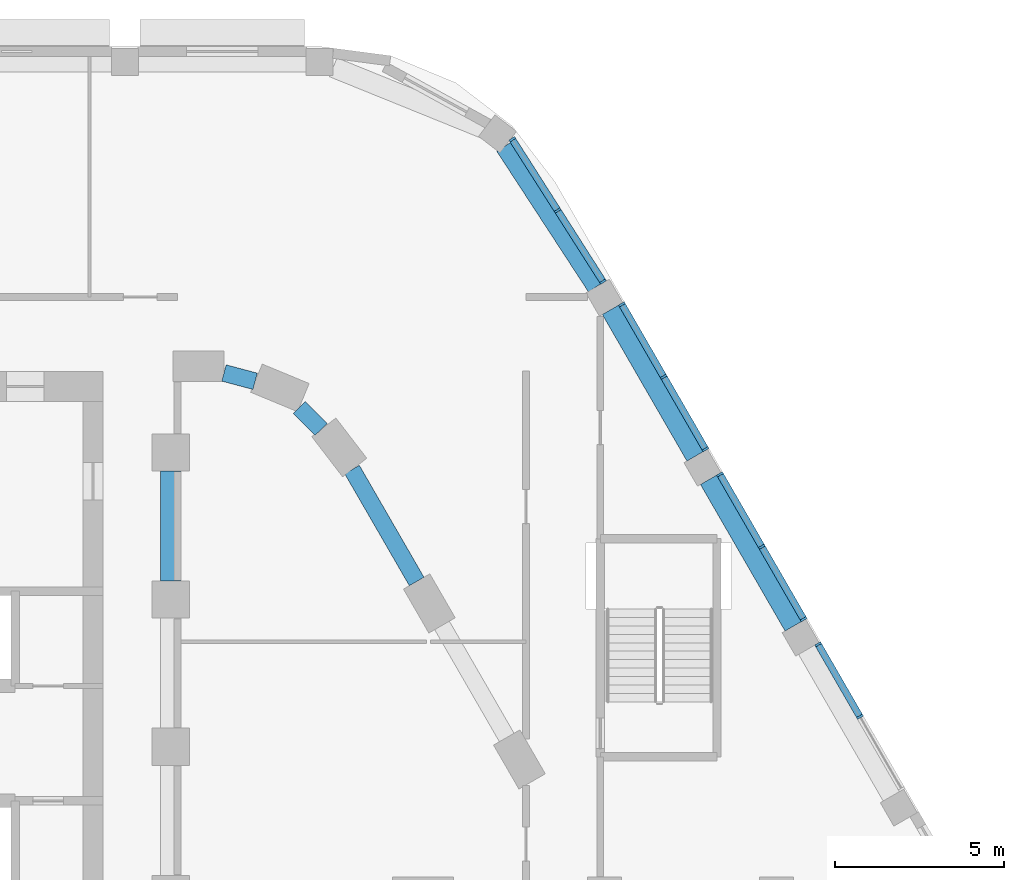
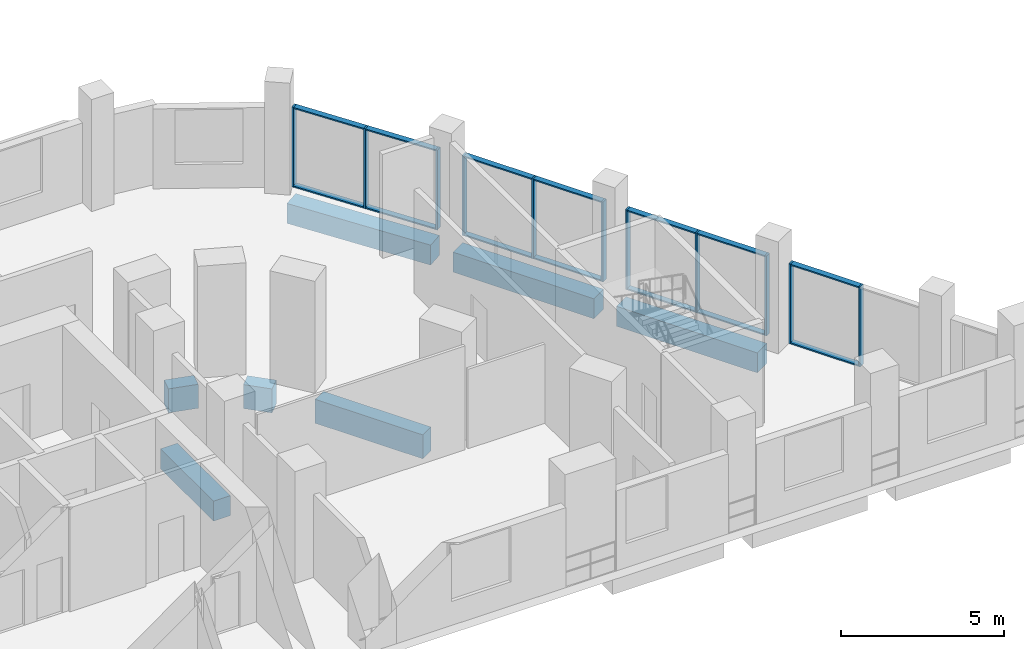
# One storey, part 4 of 47: 25 members, 7 beams, 4 elements without a shape of their own.
"""IFC4 building model written with IfcOpenShell, lengths in metres."""

from ifc_helpers import new_model, si_unit, direction, frame, origin, origin_2d, place, context, subcontext, project, spatial, rectangle, extrude, material, layer, layer_set, material_profile, profile_set, type_object, element, aggregate, save


model = new_model("IFC4")

# Units and contexts
model_context = context("Model", 3, precision=1e-05, world=origin(), true_north=direction((0.0, 1.0)))
body_context = subcontext(model_context, "Body", "Model", "MODEL_VIEW")
ifc_project = project(units=[si_unit("LENGTHUNIT", "METRE"), si_unit("AREAUNIT", "SQUARE_METRE"), si_unit("VOLUMEUNIT", "CUBIC_METRE"), si_unit("PLANEANGLEUNIT", "RADIAN"), si_unit("MASSUNIT", "GRAM", prefix="KILO")], contexts=[model_context])

# Site, building, storey
site_placement = place(None, origin())
site = spatial("IfcSite", under=ifc_project, at=site_placement, CompositionType="ELEMENT")
building_placement = place(site_placement, origin())
building = spatial("IfcBuilding", under=site, at=building_placement, Name="Nakaniwa Court", CompositionType="ELEMENT")
storey_placement = place(building_placement, frame((0.0, 0.0, 15.60009765625)))
storey = spatial("IfcBuildingStorey", under=building, at=storey_placement, Name="L03", CompositionType="ELEMENT", Elevation=15.60009765625)

# Beams
ifc_material_1 = material(Name="Concrete C100/115", Category="concrete")
ifc_material_profile_1 = material_profile(ifc_material_1, rectangle(XDim=0.5, YDim=0.89990234375, at=origin_2d()), Name="Concrete C100/115 RC 500x900 spandrel beam")
ifc_profile_set_1 = profile_set([ifc_material_profile_1], Name="Concrete C100/115")
beam_type_1 = type_object("IfcBeamType", Name="Concrete C100/115 RC 500x900 spandrel beam", PredefinedType="BEAM", material=ifc_profile_set_1)
beam_1_placement = place(storey_placement, frame((97.2705078125, 97.1865234375, -0.75), z_axis=(-0.500023067617, 0.86601208528, 0.0), x_axis=(-0.86601208528, -0.500023067617, 0.0)))
element("IfcBeam", 1, at=beam_1_placement, inside=storey, type_object=beam_type_1, Name="SPANDREL BEAM", PredefinedType="BEAM", context=body_context, shape_type="SweptSolid", body=[
    extrude(rectangle(XDim=0.5, YDim=0.89990234375, at=origin_2d()), origin(), (0.0, 0.0, 1.0), 3.819580078125),
])
beam_2_placement = place(storey_placement, frame((94.448486328125, 101.68505859375, -0.75), z_axis=(-0.705908410536, 0.708303124329, 0.0), x_axis=(-0.708303124329, -0.705908410536, 0.0)))
element("IfcBeam", 2, at=beam_2_placement, inside=storey, type_object=beam_type_1, Name="SPANDREL BEAM", PredefinedType="BEAM", context=body_context, shape_type="SweptSolid", body=[
    extrude(rectangle(XDim=0.5, YDim=0.89990234375, at=origin_2d()), origin(), (0.0, 0.0, 1.0), 0.91748046875),
])
beam_3_placement = place(storey_placement, frame((92.49609375, 103.10498046875, -0.75), z_axis=(-0.966324126494, 0.257327966912, 0.0), x_axis=(-0.257327966912, -0.966324126494, 0.0)))
element("IfcBeam", 3, at=beam_3_placement, inside=storey, type_object=beam_type_1, Name="SPANDREL BEAM", PredefinedType="BEAM", context=body_context, shape_type="SweptSolid", body=[
    extrude(rectangle(XDim=0.5, YDim=0.89990234375, at=origin_2d()), origin(), (0.0, 0.0, 1.0), 0.95361328125),
])
ifc_material_profile_2 = material_profile(ifc_material_1, rectangle(XDim=0.60009765625, YDim=0.75, at=origin_2d()), Name="Concrete C100/115 RC 600x750 ring beam")
ifc_profile_set_2 = profile_set([ifc_material_profile_2], Name="Concrete C100/115")
beam_type_2 = type_object("IfcBeamType", Name="Concrete C100/115 RC 600x750 ring beam", PredefinedType="BEAM", material=ifc_profile_set_2)
beam_4_placement = place(storey_placement, frame((90.0, 97.199951171875, -0.675048828125), z_axis=(0.0, 1.0, 0.0), x_axis=(-1.0, 0.0, 0.0)))
element("IfcBeam", 4, at=beam_4_placement, inside=storey, type_object=beam_type_2, Name="RING BEAM", PredefinedType="BEAM", context=body_context, shape_type="SweptSolid", body=[
    extrude(rectangle(XDim=0.60009765625, YDim=0.75, at=origin_2d()), origin(), (0.0, 0.0, 1.0), 3.25),
])
beam_5_placement = place(storey_placement, frame((108.422119140625, 95.87158203125, -0.675048828125), z_axis=(-0.499997052475, 0.866027105532, 0.0), x_axis=(-0.866027105532, -0.499997052475, 0.0)))
element("IfcBeam", 5, at=beam_5_placement, inside=storey, type_object=beam_type_2, Name="RING BEAM", PredefinedType="BEAM", context=body_context, shape_type="SweptSolid", body=[
    extrude(rectangle(XDim=0.60009765625, YDim=0.75, at=origin_2d()), origin(), (0.0, 0.0, 1.0), 5.00244140625),
])
beam_6_placement = place(storey_placement, frame((105.520751953125, 100.896728515625, -0.675048828125), z_axis=(-0.499981580887, 0.866036037803, 0.0), x_axis=(-0.866036037803, -0.499981580887, 0.0)))
element("IfcBeam", 6, at=beam_6_placement, inside=storey, type_object=beam_type_2, Name="RING BEAM", PredefinedType="BEAM", context=body_context, shape_type="SweptSolid", body=[
    extrude(rectangle(XDim=0.60009765625, YDim=0.75, at=origin_2d()), origin(), (0.0, 0.0, 1.0), 5.002197265625),
])
beam_7_placement = place(storey_placement, frame((102.600830078125, 105.910888671875, -0.675048828125), z_axis=(-0.546240745353, 0.837628227865, 0.0), x_axis=(-0.837628227865, -0.546240745353, 0.0)))
element("IfcBeam", 7, at=beam_7_placement, inside=storey, type_object=beam_type_2, Name="RING BEAM", PredefinedType="BEAM", context=body_context, shape_type="SweptSolid", body=[
    extrude(rectangle(XDim=0.60009765625, YDim=0.75, at=origin_2d()), origin(), (0.0, 0.0, 1.0), 4.95849609375),
])

# Curtain wall, members
ifc_material_2 = material(Name="Black anodised aluminium frame with dark low-E laminated double glazing", Category="aluminium")
ifc_layer = layer(ifc_material_2, 0.199951171875)
ifc_layer_set = layer_set([ifc_layer], Name="Black anodised aluminium frame with dark low-E laminated double glazing")
curtain_wall_type = type_object("IfcCurtainWallType", Name="Podium unitised curtain wall", PredefinedType="NOTDEFINED", material=ifc_layer_set)
curtain_wall_1_placement = place(storey_placement, origin())
curtain_wall_1 = element("IfcCurtainWall", 8, at=curtain_wall_1_placement, inside=storey, type_object=curtain_wall_type, Name="L03 curtain wall CW1 40", PredefinedType="NOTDEFINED")
ifc_material_3 = material(Name="Black anodised aluminium extrusion", Category="aluminium")
ifc_material_profile_3 = material_profile(ifc_material_3, rectangle(XDim=0.199951171875, YDim=0.06494140625, at=origin_2d()), Name="Podium unitised curtain wall mullion 65x200")
ifc_profile_set_3 = profile_set([ifc_material_profile_3], Name="Black anodised aluminium extrusion")
member_type_1 = type_object("IfcMemberType", Name="Podium unitised curtain wall mullion 65x200", PredefinedType="MULLION", material=ifc_profile_set_3)
member_1_placement = place(storey_placement, frame((110.375732421875, 93.187744140625, 0.0), z_axis=(0.0, 0.0, 1.0), x_axis=(-0.866032365426, -0.499987941889, 0.0)))
member_1 = element("IfcMember", 9, at=member_1_placement, type_object=member_type_1, Name="CW1 mullion 2", PredefinedType="MULLION", context=body_context, shape_type="SweptSolid", body=[
    extrude(rectangle(XDim=0.199951171875, YDim=0.06494140625, at=origin_2d()), origin(), (0.0, 0.0, 1.0), 3.0),
])
member_2_placement = place(storey_placement, frame((109.139404296875, 95.329345703125, 0.0), z_axis=(0.0, 0.0, 1.0), x_axis=(-0.866032365426, -0.499987941889, 0.0)))
member_2 = element("IfcMember", 10, at=member_2_placement, type_object=member_type_1, Name="CW1 mullion 3", PredefinedType="MULLION", context=body_context, shape_type="SweptSolid", body=[
    extrude(rectangle(XDim=0.199951171875, YDim=0.06494140625, at=origin_2d()), origin(), (0.0, 0.0, 1.0), 3.0),
])

curtain_wall_2_placement = place(storey_placement, origin())
curtain_wall_2 = element("IfcCurtainWall", 11, at=curtain_wall_2_placement, inside=storey, type_object=curtain_wall_type, Name="L03 curtain wall CW1 41", PredefinedType="NOTDEFINED")
member_3_placement = place(storey_placement, frame((108.7109375, 96.0712890625, 0.0), z_axis=(0.0, 0.0, 1.0), x_axis=(-0.866028712692, -0.499994268761, 0.0)))
member_3 = element("IfcMember", 12, at=member_3_placement, type_object=member_type_1, Name="CW1 mullion 1", PredefinedType="MULLION", context=body_context, shape_type="SweptSolid", body=[
    extrude(rectangle(XDim=0.199951171875, YDim=0.06494140625, at=origin_2d()), origin(), (0.0, 0.0, 1.0), 3.0),
])
member_4_placement = place(storey_placement, frame((107.474609375, 98.212890625, 0.0), z_axis=(0.0, 0.0, 1.0), x_axis=(-0.866028712692, -0.499994268761, 0.0)))
member_4 = element("IfcMember", 13, at=member_4_placement, type_object=member_type_1, Name="CW1 mullion 2", PredefinedType="MULLION", context=body_context, shape_type="SweptSolid", body=[
    extrude(rectangle(XDim=0.199951171875, YDim=0.06494140625, at=origin_2d()), origin(), (0.0, 0.0, 1.0), 3.0),
])
member_5_placement = place(storey_placement, frame((106.238037109375, 100.354248046875, 0.0), z_axis=(0.0, 0.0, 1.0), x_axis=(-0.866028712692, -0.499994268761, 0.0)))
member_5 = element("IfcMember", 14, at=member_5_placement, type_object=member_type_1, Name="CW1 mullion 3", PredefinedType="MULLION", context=body_context, shape_type="SweptSolid", body=[
    extrude(rectangle(XDim=0.199951171875, YDim=0.06494140625, at=origin_2d()), origin(), (0.0, 0.0, 1.0), 3.0),
])

curtain_wall_3_placement = place(storey_placement, origin())
curtain_wall_3 = element("IfcCurtainWall", 15, at=curtain_wall_3_placement, inside=storey, type_object=curtain_wall_type, Name="L03 curtain wall CW1 42", PredefinedType="NOTDEFINED")
member_6_placement = place(storey_placement, frame((105.8095703125, 101.096435546875, 0.0), z_axis=(0.0, 0.0, 1.0), x_axis=(-0.866032365426, -0.499987941889, 0.0)))
member_6 = element("IfcMember", 16, at=member_6_placement, type_object=member_type_1, Name="CW1 mullion 1", PredefinedType="MULLION", context=body_context, shape_type="SweptSolid", body=[
    extrude(rectangle(XDim=0.199951171875, YDim=0.06494140625, at=origin_2d()), origin(), (0.0, 0.0, 1.0), 3.0),
])
member_7_placement = place(storey_placement, frame((104.5732421875, 103.23779296875, 0.0), z_axis=(0.0, 0.0, 1.0), x_axis=(-0.866032365426, -0.499987941889, 0.0)))
member_7 = element("IfcMember", 17, at=member_7_placement, type_object=member_type_1, Name="CW1 mullion 2", PredefinedType="MULLION", context=body_context, shape_type="SweptSolid", body=[
    extrude(rectangle(XDim=0.199951171875, YDim=0.06494140625, at=origin_2d()), origin(), (0.0, 0.0, 1.0), 3.0),
])
member_8_placement = place(storey_placement, frame((103.337158203125, 105.379150390625, 0.0), z_axis=(0.0, 0.0, 1.0), x_axis=(-0.866032365426, -0.499987941889, 0.0)))
member_8 = element("IfcMember", 18, at=member_8_placement, type_object=member_type_1, Name="CW1 mullion 3", PredefinedType="MULLION", context=body_context, shape_type="SweptSolid", body=[
    extrude(rectangle(XDim=0.199951171875, YDim=0.06494140625, at=origin_2d()), origin(), (0.0, 0.0, 1.0), 3.0),
])

curtain_wall_4_placement = place(storey_placement, origin())
curtain_wall_4 = element("IfcCurtainWall", 19, at=curtain_wall_4_placement, inside=storey, type_object=curtain_wall_type, Name="L03 curtain wall CW1 43", PredefinedType="NOTDEFINED")
member_9_placement = place(storey_placement, frame((102.780517578125, 106.0498046875, 0.0), z_axis=(0.0, 0.0, 1.0), x_axis=(-0.843171726606, -0.537644342899, 0.0)))
member_9 = element("IfcMember", 20, at=member_9_placement, type_object=member_type_1, Name="CW1 mullion 1", PredefinedType="MULLION", context=body_context, shape_type="SweptSolid", body=[
    extrude(rectangle(XDim=0.199951171875, YDim=0.06494140625, at=origin_2d()), origin(), (0.0, 0.0, 1.0), 3.0),
])
member_10_placement = place(storey_placement, frame((101.438720703125, 108.154296875, 0.0), z_axis=(0.0, 0.0, 1.0), x_axis=(-0.843171726606, -0.537644342899, 0.0)))
member_10 = element("IfcMember", 21, at=member_10_placement, type_object=member_type_1, Name="CW1 mullion 2", PredefinedType="MULLION", context=body_context, shape_type="SweptSolid", body=[
    extrude(rectangle(XDim=0.199951171875, YDim=0.06494140625, at=origin_2d()), origin(), (0.0, 0.0, 1.0), 3.0),
])
member_11_placement = place(storey_placement, frame((100.096923828125, 110.258544921875, 0.0), z_axis=(0.0, 0.0, 1.0), x_axis=(-0.843171726606, -0.537644342899, 0.0)))
member_11 = element("IfcMember", 22, at=member_11_placement, type_object=member_type_1, Name="CW1 mullion 3", PredefinedType="MULLION", context=body_context, shape_type="SweptSolid", body=[
    extrude(rectangle(XDim=0.199951171875, YDim=0.06494140625, at=origin_2d()), origin(), (0.0, 0.0, 1.0), 3.0),
])

# Member
ifc_material_profile_4 = material_profile(ifc_material_3, rectangle(XDim=0.199951171875, YDim=0.050048828125, at=origin_2d()), Name="Podium unitised curtain wall transom 50x200")
ifc_profile_set_4 = profile_set([ifc_material_profile_4], Name="Black anodised aluminium extrusion")
member_type_2 = type_object("IfcMemberType", Name="Podium unitised curtain wall transom 50x200", PredefinedType="USERDEFINED", material=ifc_profile_set_4)
member_12_placement = place(storey_placement, frame((110.359375, 93.216064453125, 0.02490234375), z_axis=(-0.50003260427, 0.866006578882, 0.0), x_axis=(-0.866006578882, -0.50003260427, 0.0)))
member_12 = element("IfcMember", 23, at=member_12_placement, type_object=member_type_2, Name="CW1 transom 2.1", ObjectType="TRANSOM", PredefinedType="USERDEFINED", context=body_context, shape_type="SweptSolid", body=[
    extrude(rectangle(XDim=0.199951171875, YDim=0.050048828125, at=origin_2d()), origin(), (0.0, 0.0, 1.0), 2.407470703125),
])

member_13_placement = place(storey_placement, frame((110.359375, 93.216064453125, 2.974853515625), z_axis=(-0.50003260427, 0.866006578882, 0.0), x_axis=(-0.866006578882, -0.50003260427, 0.0)))
member_13 = element("IfcMember", 24, at=member_13_placement, type_object=member_type_2, Name="CW1 transom 2.2", ObjectType="TRANSOM", PredefinedType="USERDEFINED", context=body_context, shape_type="SweptSolid", body=[
    extrude(rectangle(XDim=0.199951171875, YDim=0.050048828125, at=origin_2d()), origin(), (0.0, 0.0, 1.0), 2.407470703125),
])

aggregate(curtain_wall_1, [member_1, member_2, member_12, member_13])

member_14_placement = place(storey_placement, frame((108.694580078125, 96.099609375, 0.02490234375), z_axis=(-0.50003260427, 0.866006578882, 0.0), x_axis=(-0.866006578882, -0.50003260427, 0.0)))
member_14 = element("IfcMember", 25, at=member_14_placement, type_object=member_type_2, Name="CW1 transom 1.1", ObjectType="TRANSOM", PredefinedType="USERDEFINED", context=body_context, shape_type="SweptSolid", body=[
    extrude(rectangle(XDim=0.199951171875, YDim=0.050048828125, at=origin_2d()), origin(), (0.0, 0.0, 1.0), 2.407470703125),
])

member_15_placement = place(storey_placement, frame((108.694580078125, 96.099609375, 2.974853515625), z_axis=(-0.50003260427, 0.866006578882, 0.0), x_axis=(-0.866006578882, -0.50003260427, 0.0)))
member_15 = element("IfcMember", 26, at=member_15_placement, type_object=member_type_2, Name="CW1 transom 1.2", ObjectType="TRANSOM", PredefinedType="USERDEFINED", context=body_context, shape_type="SweptSolid", body=[
    extrude(rectangle(XDim=0.199951171875, YDim=0.050048828125, at=origin_2d()), origin(), (0.0, 0.0, 1.0), 2.407470703125),
])

member_16_placement = place(storey_placement, frame((107.458251953125, 98.240966796875, 0.02490234375), z_axis=(-0.499988695522, 0.866031930329, 0.0), x_axis=(-0.866031930329, -0.499988695522, 0.0)))
member_16 = element("IfcMember", 27, at=member_16_placement, type_object=member_type_2, Name="CW1 transom 2.1", ObjectType="TRANSOM", PredefinedType="USERDEFINED", context=body_context, shape_type="SweptSolid", body=[
    extrude(rectangle(XDim=0.199951171875, YDim=0.050048828125, at=origin_2d()), origin(), (0.0, 0.0, 1.0), 2.40771484375),
])

member_17_placement = place(storey_placement, frame((107.458251953125, 98.240966796875, 2.974853515625), z_axis=(-0.499988695522, 0.866031930329, 0.0), x_axis=(-0.866031930329, -0.499988695522, 0.0)))
member_17 = element("IfcMember", 28, at=member_17_placement, type_object=member_type_2, Name="CW1 transom 2.2", ObjectType="TRANSOM", PredefinedType="USERDEFINED", context=body_context, shape_type="SweptSolid", body=[
    extrude(rectangle(XDim=0.199951171875, YDim=0.050048828125, at=origin_2d()), origin(), (0.0, 0.0, 1.0), 2.40771484375),
])

aggregate(curtain_wall_2, [member_3, member_4, member_5, member_14, member_15, member_16, member_17])

member_18_placement = place(storey_placement, frame((105.79345703125, 101.12451171875, 0.02490234375), z_axis=(-0.499988695522, 0.866031930329, 0.0), x_axis=(-0.866031930329, -0.499988695522, 0.0)))
member_18 = element("IfcMember", 29, at=member_18_placement, type_object=member_type_2, Name="CW1 transom 1.1", ObjectType="TRANSOM", PredefinedType="USERDEFINED", context=body_context, shape_type="SweptSolid", body=[
    extrude(rectangle(XDim=0.199951171875, YDim=0.050048828125, at=origin_2d()), origin(), (0.0, 0.0, 1.0), 2.40771484375),
])

member_19_placement = place(storey_placement, frame((105.79345703125, 101.12451171875, 2.974853515625), z_axis=(-0.499988695522, 0.866031930329, 0.0), x_axis=(-0.866031930329, -0.499988695522, 0.0)))
member_19 = element("IfcMember", 30, at=member_19_placement, type_object=member_type_2, Name="CW1 transom 1.2", ObjectType="TRANSOM", PredefinedType="USERDEFINED", context=body_context, shape_type="SweptSolid", body=[
    extrude(rectangle(XDim=0.199951171875, YDim=0.050048828125, at=origin_2d()), origin(), (0.0, 0.0, 1.0), 2.40771484375),
])

member_20_placement = place(storey_placement, frame((104.55712890625, 103.265869140625, 0.02490234375), z_axis=(-0.499988695522, 0.866031930329, 0.0), x_axis=(-0.866031930329, -0.499988695522, 0.0)))
member_20 = element("IfcMember", 31, at=member_20_placement, type_object=member_type_2, Name="CW1 transom 2.1", ObjectType="TRANSOM", PredefinedType="USERDEFINED", context=body_context, shape_type="SweptSolid", body=[
    extrude(rectangle(XDim=0.199951171875, YDim=0.050048828125, at=origin_2d()), origin(), (0.0, 0.0, 1.0), 2.40771484375),
])

member_21_placement = place(storey_placement, frame((104.55712890625, 103.265869140625, 2.974853515625), z_axis=(-0.499988695522, 0.866031930329, 0.0), x_axis=(-0.866031930329, -0.499988695522, 0.0)))
member_21 = element("IfcMember", 32, at=member_21_placement, type_object=member_type_2, Name="CW1 transom 2.2", ObjectType="TRANSOM", PredefinedType="USERDEFINED", context=body_context, shape_type="SweptSolid", body=[
    extrude(rectangle(XDim=0.199951171875, YDim=0.050048828125, at=origin_2d()), origin(), (0.0, 0.0, 1.0), 2.40771484375),
])

aggregate(curtain_wall_3, [member_6, member_7, member_8, member_18, member_19, member_20, member_21])

member_22_placement = place(storey_placement, frame((102.762939453125, 106.077392578125, 0.02490234375), z_axis=(-0.537642140541, 0.843173130925, 0.0), x_axis=(-0.843173130925, -0.537642140541, 0.0)))
member_22 = element("IfcMember", 33, at=member_22_placement, type_object=member_type_2, Name="CW1 transom 1.1", ObjectType="TRANSOM", PredefinedType="USERDEFINED", context=body_context, shape_type="SweptSolid", body=[
    extrude(rectangle(XDim=0.199951171875, YDim=0.050048828125, at=origin_2d()), origin(), (0.0, 0.0, 1.0), 2.4306640625),
])

member_23_placement = place(storey_placement, frame((102.762939453125, 106.077392578125, 2.974853515625), z_axis=(-0.537642140541, 0.843173130925, 0.0), x_axis=(-0.843173130925, -0.537642140541, 0.0)))
member_23 = element("IfcMember", 34, at=member_23_placement, type_object=member_type_2, Name="CW1 transom 1.2", ObjectType="TRANSOM", PredefinedType="USERDEFINED", context=body_context, shape_type="SweptSolid", body=[
    extrude(rectangle(XDim=0.199951171875, YDim=0.050048828125, at=origin_2d()), origin(), (0.0, 0.0, 1.0), 2.4306640625),
])

member_24_placement = place(storey_placement, frame((101.421142578125, 108.181640625, 0.02490234375), z_axis=(-0.537642140541, 0.843173130925, 0.0), x_axis=(-0.843173130925, -0.537642140541, 0.0)))
member_24 = element("IfcMember", 35, at=member_24_placement, type_object=member_type_2, Name="CW1 transom 2.1", ObjectType="TRANSOM", PredefinedType="USERDEFINED", context=body_context, shape_type="SweptSolid", body=[
    extrude(rectangle(XDim=0.199951171875, YDim=0.050048828125, at=origin_2d()), origin(), (0.0, 0.0, 1.0), 2.4306640625),
])

member_25_placement = place(storey_placement, frame((101.421142578125, 108.181640625, 2.974853515625), z_axis=(-0.537642140541, 0.843173130925, 0.0), x_axis=(-0.843173130925, -0.537642140541, 0.0)))
member_25 = element("IfcMember", 36, at=member_25_placement, type_object=member_type_2, Name="CW1 transom 2.2", ObjectType="TRANSOM", PredefinedType="USERDEFINED", context=body_context, shape_type="SweptSolid", body=[
    extrude(rectangle(XDim=0.199951171875, YDim=0.050048828125, at=origin_2d()), origin(), (0.0, 0.0, 1.0), 2.4306640625),
])

aggregate(curtain_wall_4, [member_9, member_10, member_11, member_22, member_23, member_24, member_25])

save(model, "model.ifc")
